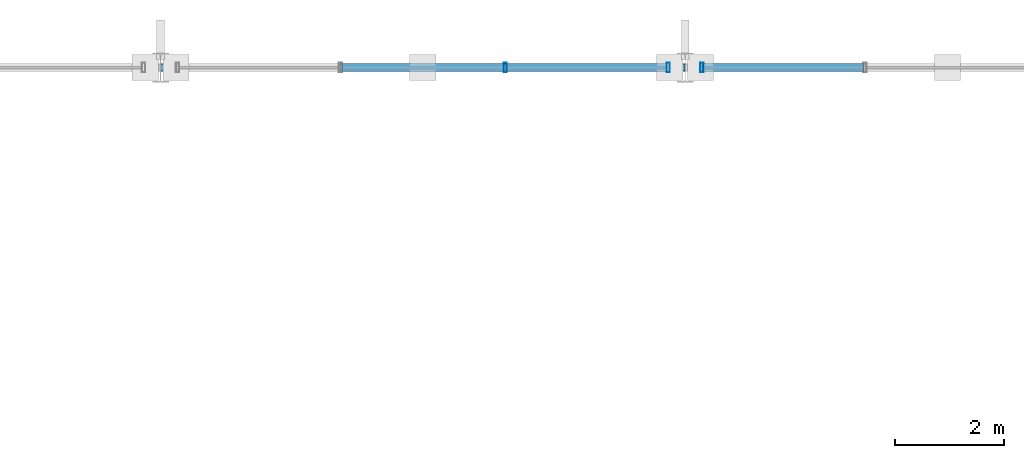
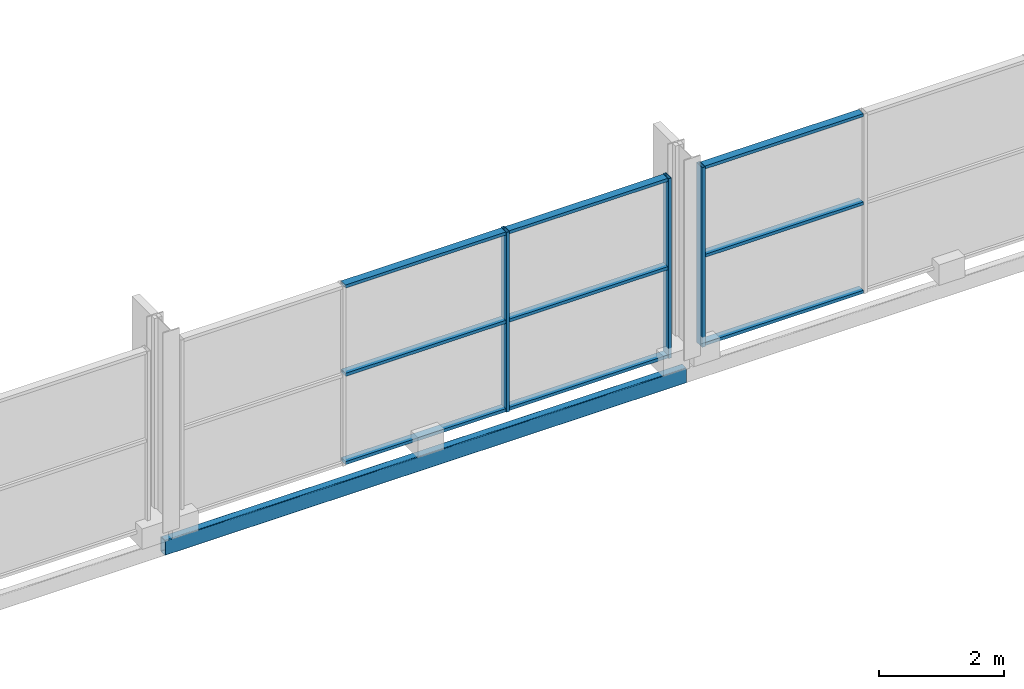
# One storey, part 58 of 117: 12 members, 1 beam, 2 elements without a shape of their own.
"""IFC4 building model written with IfcOpenShell, lengths in metres."""

from ifc_helpers import new_model, si_unit, direction, frame, origin, origin_2d, place, context, subcontext, project, spatial, hollow_rectangle, extrude, material, material_profile, profile_set, type_object, element, aggregate, save


model = new_model("IFC4")

# Units and contexts
model_context = context("Model", 3, precision=1e-05, world=origin(), true_north=direction((0.0, 1.0)))
body_context = subcontext(model_context, "Body", "Model", "MODEL_VIEW")
ifc_project = project(units=[si_unit("LENGTHUNIT", "METRE"), si_unit("AREAUNIT", "SQUARE_METRE"), si_unit("VOLUMEUNIT", "CUBIC_METRE"), si_unit("PLANEANGLEUNIT", "RADIAN"), si_unit("MASSUNIT", "GRAM", prefix="KILO")], contexts=[model_context])

# Site, building, storey
site_placement = place(None, origin())
site = spatial("IfcSite", under=ifc_project, at=site_placement, CompositionType="ELEMENT")
building_placement = place(site_placement, origin())
building = spatial("IfcBuilding", under=site, at=building_placement, Name="Merenkruunu Market Hall", CompositionType="ELEMENT")
storey_placement = place(building_placement, frame((0.0, 0.0, 10.199951171875)))
storey = spatial("IfcBuildingStorey", under=building, at=storey_placement, Name="L02", CompositionType="ELEMENT", Elevation=10.199951171875)

# Curtain wall, members
ifc_material_1 = material(Name="Powder-coated aluminium", Category="aluminium")
curtain_wall_type = type_object("IfcCurtainWallType", Name="Glazed Curtain Wall CW10", PredefinedType="USERDEFINED", material=ifc_material_1)
curtain_wall_1_placement = place(storey_placement, origin())
curtain_wall_1 = element("IfcCurtainWall", 1, at=curtain_wall_1_placement, inside=storey, type_object=curtain_wall_type, Name="CW-L02-CWM02-058", ObjectType="GLAZED_FACADE", PredefinedType="USERDEFINED")
ifc_material_profile_1 = material_profile(ifc_material_1, hollow_rectangle(XDim=0.06005859375, YDim=0.179931640625, WallThickness=0.00390625, at=origin_2d()), Name="ALU 60x180x4")
ifc_profile_set_1 = profile_set([ifc_material_profile_1], Name="Powder-coated aluminium")
member_type_1 = type_object("IfcMemberType", Name="Curtain Wall Mullion CWM02", PredefinedType="MULLION", material=ifc_profile_set_1)
member_1_placement = place(storey_placement, frame((25.506591796875, 111.60009765625, 0.0), z_axis=(0.0, 0.0, 1.0), x_axis=(1.0, 0.0, 0.0)))
member_1 = element("IfcMember", 2, at=member_1_placement, type_object=member_type_1, Name="CW10 mullion 3", PredefinedType="MULLION", context=body_context, shape_type="SweptSolid", body=[
    extrude(hollow_rectangle(XDim=0.06005859375, YDim=0.179931640625, WallThickness=0.00390625, at=origin_2d()), origin(), (0.0, 0.0, 1.0), 3.5),
])
member_2_placement = place(storey_placement, frame((28.489990234375, 111.60009765625, 0.0), z_axis=(0.0, 0.0, 1.0), x_axis=(1.0, 0.0, 0.0)))
member_2 = element("IfcMember", 3, at=member_2_placement, type_object=member_type_1, Name="CW10 mullion 4", PredefinedType="MULLION", context=body_context, shape_type="SweptSolid", body=[
    extrude(hollow_rectangle(XDim=0.06005859375, YDim=0.179931640625, WallThickness=0.00390625, at=origin_2d()), origin(), (0.0, 0.0, 1.0), 3.5),
])

# Curtain wall, member
curtain_wall_2_placement = place(storey_placement, origin())
curtain_wall_2 = element("IfcCurtainWall", 4, at=curtain_wall_2_placement, inside=storey, type_object=curtain_wall_type, Name="CW-L02-CWM02-061", ObjectType="GLAZED_FACADE", PredefinedType="USERDEFINED")
member_3_placement = place(storey_placement, frame((29.110107421875, 111.60009765625, 0.0), z_axis=(0.0, 0.0, 1.0), x_axis=(1.0, 0.0, 0.0)))
member_3 = element("IfcMember", 5, at=member_3_placement, type_object=member_type_1, Name="CW10 mullion 1", PredefinedType="MULLION", context=body_context, shape_type="SweptSolid", body=[
    extrude(hollow_rectangle(XDim=0.06005859375, YDim=0.179931640625, WallThickness=0.00390625, at=origin_2d()), origin(), (0.0, 0.0, 1.0), 3.5),
])

# Member
ifc_material_profile_2 = material_profile(ifc_material_1, hollow_rectangle(XDim=0.06005859375, YDim=0.139892578125, WallThickness=0.00390625, at=origin_2d()), Name="ALU 60x140x4")
ifc_profile_set_2 = profile_set([ifc_material_profile_2], Name="Powder-coated aluminium")
member_type_2 = type_object("IfcMemberType", Name="Curtain Wall Transom CWT02", PredefinedType="USERDEFINED", material=ifc_profile_set_2)
member_4_placement = place(storey_placement, frame((22.5234375, 111.60009765625, 0.030029296875), z_axis=(1.0, 0.0, 0.0), x_axis=(0.0, 0.0, 1.0)))
member_4 = element("IfcMember", 6, at=member_4_placement, type_object=member_type_2, Name="CW10 transom 2.1", ObjectType="TRANSOM", PredefinedType="USERDEFINED", context=body_context, shape_type="SweptSolid", body=[
    extrude(hollow_rectangle(XDim=0.06005859375, YDim=0.139892578125, WallThickness=0.00390625, at=origin_2d()), origin(), (0.0, 0.0, 1.0), 2.953125),
])

member_5_placement = place(storey_placement, frame((22.5234375, 111.60009765625, 1.75), z_axis=(1.0, 0.0, 0.0), x_axis=(0.0, 0.0, 1.0)))
member_5 = element("IfcMember", 7, at=member_5_placement, type_object=member_type_2, Name="CW10 transom 2.2", ObjectType="TRANSOM", PredefinedType="USERDEFINED", context=body_context, shape_type="SweptSolid", body=[
    extrude(hollow_rectangle(XDim=0.06005859375, YDim=0.139892578125, WallThickness=0.00390625, at=origin_2d()), origin(), (0.0, 0.0, 1.0), 2.953125),
])

member_6_placement = place(storey_placement, frame((22.5234375, 111.60009765625, 3.469970703125), z_axis=(1.0, 0.0, 0.0), x_axis=(0.0, 0.0, 1.0)))
member_6 = element("IfcMember", 8, at=member_6_placement, type_object=member_type_2, Name="CW10 transom 2.3", ObjectType="TRANSOM", PredefinedType="USERDEFINED", context=body_context, shape_type="SweptSolid", body=[
    extrude(hollow_rectangle(XDim=0.06005859375, YDim=0.139892578125, WallThickness=0.00390625, at=origin_2d()), origin(), (0.0, 0.0, 1.0), 2.953125),
])

member_7_placement = place(storey_placement, frame((25.53662109375, 111.60009765625, 0.030029296875), z_axis=(1.0, 0.0, 0.0), x_axis=(0.0, 0.0, 1.0)))
member_7 = element("IfcMember", 9, at=member_7_placement, type_object=member_type_2, Name="CW10 transom 3.1", ObjectType="TRANSOM", PredefinedType="USERDEFINED", context=body_context, shape_type="SweptSolid", body=[
    extrude(hollow_rectangle(XDim=0.06005859375, YDim=0.139892578125, WallThickness=0.00390625, at=origin_2d()), origin(), (0.0, 0.0, 1.0), 2.92333984375),
])

member_8_placement = place(storey_placement, frame((25.53662109375, 111.60009765625, 1.75), z_axis=(1.0, 0.0, 0.0), x_axis=(0.0, 0.0, 1.0)))
member_8 = element("IfcMember", 10, at=member_8_placement, type_object=member_type_2, Name="CW10 transom 3.2", ObjectType="TRANSOM", PredefinedType="USERDEFINED", context=body_context, shape_type="SweptSolid", body=[
    extrude(hollow_rectangle(XDim=0.06005859375, YDim=0.139892578125, WallThickness=0.00390625, at=origin_2d()), origin(), (0.0, 0.0, 1.0), 2.92333984375),
])

member_9_placement = place(storey_placement, frame((25.53662109375, 111.60009765625, 3.469970703125), z_axis=(1.0, 0.0, 0.0), x_axis=(0.0, 0.0, 1.0)))
member_9 = element("IfcMember", 11, at=member_9_placement, type_object=member_type_2, Name="CW10 transom 3.3", ObjectType="TRANSOM", PredefinedType="USERDEFINED", context=body_context, shape_type="SweptSolid", body=[
    extrude(hollow_rectangle(XDim=0.06005859375, YDim=0.139892578125, WallThickness=0.00390625, at=origin_2d()), origin(), (0.0, 0.0, 1.0), 2.92333984375),
])

aggregate(curtain_wall_1, [member_1, member_2, member_4, member_5, member_6, member_7, member_8, member_9])

member_10_placement = place(storey_placement, frame((29.139892578125, 111.60009765625, 0.030029296875), z_axis=(1.0, 0.0, 0.0), x_axis=(0.0, 0.0, 1.0)))
member_10 = element("IfcMember", 12, at=member_10_placement, type_object=member_type_2, Name="CW10 transom 1.1", ObjectType="TRANSOM", PredefinedType="USERDEFINED", context=body_context, shape_type="SweptSolid", body=[
    extrude(hollow_rectangle(XDim=0.06005859375, YDim=0.139892578125, WallThickness=0.00390625, at=origin_2d()), origin(), (0.0, 0.0, 1.0), 2.92333984375),
])

member_11_placement = place(storey_placement, frame((29.139892578125, 111.60009765625, 1.75), z_axis=(1.0, 0.0, 0.0), x_axis=(0.0, 0.0, 1.0)))
member_11 = element("IfcMember", 13, at=member_11_placement, type_object=member_type_2, Name="CW10 transom 1.2", ObjectType="TRANSOM", PredefinedType="USERDEFINED", context=body_context, shape_type="SweptSolid", body=[
    extrude(hollow_rectangle(XDim=0.06005859375, YDim=0.139892578125, WallThickness=0.00390625, at=origin_2d()), origin(), (0.0, 0.0, 1.0), 2.92333984375),
])

member_12_placement = place(storey_placement, frame((29.139892578125, 111.60009765625, 3.469970703125), z_axis=(1.0, 0.0, 0.0), x_axis=(0.0, 0.0, 1.0)))
member_12 = element("IfcMember", 14, at=member_12_placement, type_object=member_type_2, Name="CW10 transom 1.3", ObjectType="TRANSOM", PredefinedType="USERDEFINED", context=body_context, shape_type="SweptSolid", body=[
    extrude(hollow_rectangle(XDim=0.06005859375, YDim=0.139892578125, WallThickness=0.00390625, at=origin_2d()), origin(), (0.0, 0.0, 1.0), 2.92333984375),
])

aggregate(curtain_wall_2, [member_3, member_10, member_11, member_12])

# Beam
ifc_material_2 = material(Name="Steel S355J2", Category="steel")
ifc_material_profile_3 = material_profile(ifc_material_2, hollow_rectangle(XDim=0.14990234375, YDim=0.300048828125, WallThickness=0.012451171875, InnerFilletRadius=0.012451171875, OuterFilletRadius=0.02490234375, at=origin_2d()), Name="RHS 300x150x12.5")
ifc_profile_set_3 = profile_set([ifc_material_profile_3], Name="Steel S355J2")
beam_type = type_object("IfcBeamType", Name="Perimeter Spandrel Beam SP03", PredefinedType="SPANDREL", material=ifc_profile_set_3)
beam_placement = place(storey_placement, frame((19.199951171875, 111.60009765625, -0.4599609375), z_axis=(1.0, 0.0, 0.0), x_axis=(0.0, 1.0, 0.0)))
element("IfcBeam", 15, at=beam_placement, inside=storey, type_object=beam_type, Name="BM-L02-SP03-1247", PredefinedType="SPANDREL", context=body_context, shape_type="SweptSolid", body=[
    extrude(hollow_rectangle(XDim=0.14990234375, YDim=0.300048828125, WallThickness=0.012451171875, InnerFilletRadius=0.012451171875, OuterFilletRadius=0.02490234375, at=origin_2d()), origin(), (0.0, 0.0, 1.0), 9.60009765625),
])

save(model, "model.ifc")
